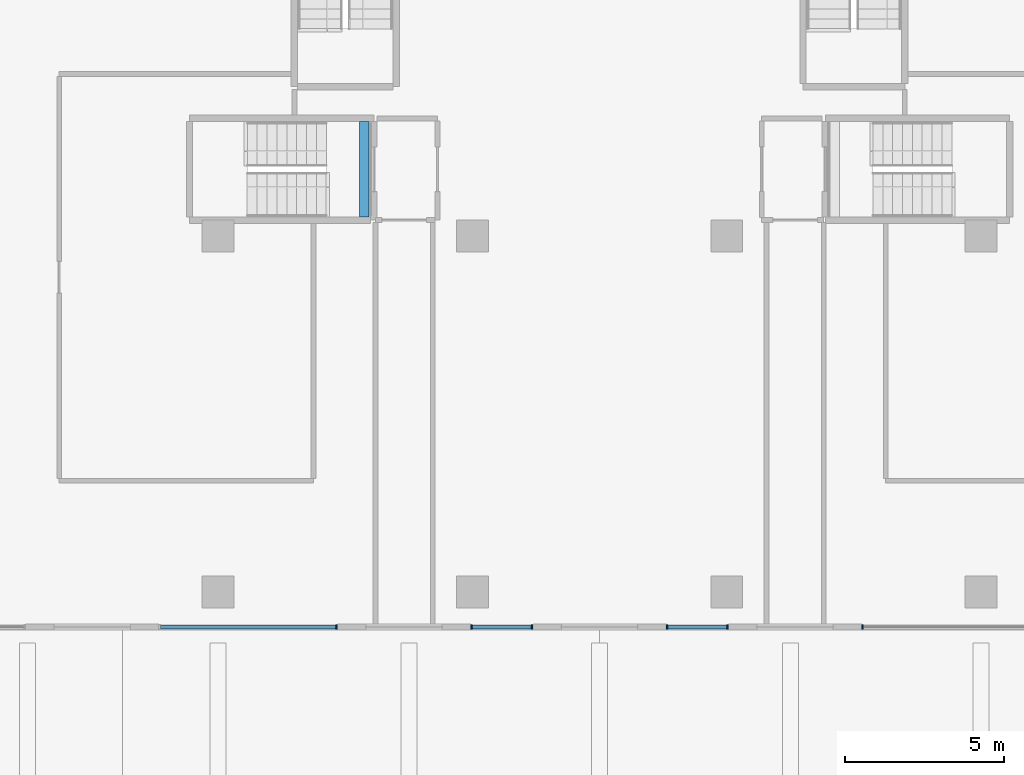
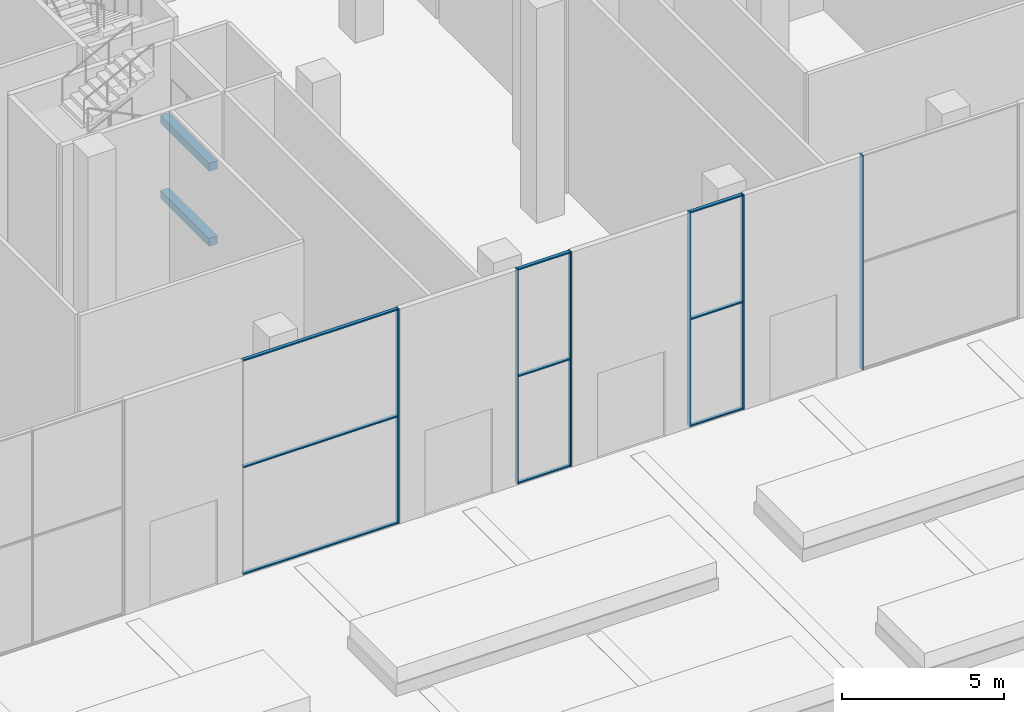
# One storey, part 3 of 41: 15 members, 2 beams, 4 elements without a shape of their own.
"""IFC4 building model written with IfcOpenShell, lengths in metres."""

from ifc_helpers import new_model, si_unit, direction, frame, origin, origin_2d, place, context, subcontext, project, spatial, rectangle, extrude, material, layer, layer_set, material_profile, profile_set, type_object, element, aggregate, save


model = new_model("IFC4")

# Units and contexts
model_context = context("Model", 3, precision=1e-05, world=origin(), true_north=direction((0.0, 1.0)))
body_context = subcontext(model_context, "Body", "Model", "MODEL_VIEW")
ifc_project = project(units=[si_unit("LENGTHUNIT", "METRE"), si_unit("AREAUNIT", "SQUARE_METRE"), si_unit("VOLUMEUNIT", "CUBIC_METRE"), si_unit("PLANEANGLEUNIT", "RADIAN"), si_unit("MASSUNIT", "GRAM", prefix="KILO")], contexts=[model_context])

# Site, building, storey
site_placement = place(None, origin())
site = spatial("IfcSite", under=ifc_project, at=site_placement, CompositionType="ELEMENT")
building_placement = place(site_placement, origin())
building = spatial("IfcBuilding", under=site, at=building_placement, Name="Triada Interchange Tower", CompositionType="ELEMENT")
storey_placement = place(building_placement, origin())
storey = spatial("IfcBuildingStorey", under=building, at=storey_placement, Name="L00", CompositionType="ELEMENT", Elevation=0.0)

# Beams
ifc_material_1 = material(Name="Concrete C35/45", Category="concrete")
ifc_material_profile_1 = material_profile(ifc_material_1, rectangle(XDim=0.300048828125, YDim=0.300048828125, at=origin_2d()), Name="RC 300x300")
ifc_profile_set_1 = profile_set([ifc_material_profile_1], Name="Concrete C35/45")
beam_type = type_object("IfcBeamType", Name="Landing support beam RC 300x300", PredefinedType="BEAM", material=ifc_profile_set_1)
for number, where, z_axis, x_axis, name in (
    (1, (-7.39990234375, -37.5, 2.4833984375), (0.0, 1.0, 0.0), (-1.0, 0.0, 0.0), "Landing support beam S00-4 1"),
    (2, (-7.39990234375, -37.5, 5.31689453125), (0.0, 1.0, 0.0), (-1.0, 0.0, 0.0), "Landing support beam S00-4 2"),
):
    element("IfcBeam", number, at=place(storey_placement, frame(where, z_axis=z_axis, x_axis=x_axis)), inside=storey, type_object=beam_type, Name=name, PredefinedType="BEAM", context=body_context, shape_type="SweptSolid", body=[
        extrude(rectangle(XDim=0.300048828125, YDim=0.300048828125, at=origin_2d()), origin(), (0.0, 0.0, 1.0), 3.0),
    ])

# Curtain wall, member
ifc_material_2 = material(Name="Aluminium framed glazing", Category="aluminium")
ifc_layer = layer(ifc_material_2, 0.199951171875)
ifc_layer_set = layer_set([ifc_layer], Name="Curtain wall Retail shopfront")
curtain_wall_type = type_object("IfcCurtainWallType", Name="Curtain wall Retail shopfront", PredefinedType="NOTDEFINED", material=ifc_layer_set)
curtain_wall_1_placement = place(storey_placement, origin())
curtain_wall_1 = element("IfcCurtainWall", 3, at=curtain_wall_1_placement, inside=storey, type_object=curtain_wall_type, Name="Retail shopfront CW004 L00", PredefinedType="NOTDEFINED")
ifc_material_3 = material(Name="Aluminium", Category="aluminium")
ifc_material_profile_2 = material_profile(ifc_material_3, rectangle(XDim=0.14990234375, YDim=0.050048828125, at=origin_2d()), Name="Aluminium mullion")
ifc_profile_set_2 = profile_set([ifc_material_profile_2], Name="Aluminium")
member_type_1 = type_object("IfcMemberType", Name="Mullion Retail shopfront 150x50", PredefinedType="MULLION", material=ifc_profile_set_2)
member_1_placement = place(storey_placement, frame((-8.27490234375, -50.39990234375, 0.0), z_axis=(0.0, 0.0, 1.0), x_axis=(0.0, 1.0, 0.0)))
member_1 = element("IfcMember", 4, at=member_1_placement, type_object=member_type_1, Name="CW004 mullion 2", PredefinedType="MULLION", context=body_context, shape_type="SweptSolid", body=[
    extrude(rectangle(XDim=0.14990234375, YDim=0.050048828125, at=origin_2d()), origin(), (0.0, 0.0, 1.0), 8.10009765625),
])

# Curtain wall, members
curtain_wall_2_placement = place(storey_placement, origin())
curtain_wall_2 = element("IfcCurtainWall", 5, at=curtain_wall_2_placement, inside=storey, type_object=curtain_wall_type, Name="Retail shopfront CW005 L00", PredefinedType="NOTDEFINED")
member_2_placement = place(storey_placement, frame((-4.02490234375, -50.39990234375, 0.0), z_axis=(0.0, 0.0, 1.0), x_axis=(0.0, 1.0, 0.0)))
member_2 = element("IfcMember", 6, at=member_2_placement, type_object=member_type_1, Name="CW005 mullion 1", PredefinedType="MULLION", context=body_context, shape_type="SweptSolid", body=[
    extrude(rectangle(XDim=0.14990234375, YDim=0.050048828125, at=origin_2d()), origin(), (0.0, 0.0, 1.0), 8.10009765625),
])
member_3_placement = place(storey_placement, frame((-2.125, -50.39990234375, 0.0), z_axis=(0.0, 0.0, 1.0), x_axis=(0.0, 1.0, 0.0)))
member_3 = element("IfcMember", 7, at=member_3_placement, type_object=member_type_1, Name="CW005 mullion 2", PredefinedType="MULLION", context=body_context, shape_type="SweptSolid", body=[
    extrude(rectangle(XDim=0.14990234375, YDim=0.050048828125, at=origin_2d()), origin(), (0.0, 0.0, 1.0), 8.10009765625),
])

curtain_wall_3_placement = place(storey_placement, origin())
curtain_wall_3 = element("IfcCurtainWall", 8, at=curtain_wall_3_placement, inside=storey, type_object=curtain_wall_type, Name="Retail shopfront CW006 L00", PredefinedType="NOTDEFINED")
member_4_placement = place(storey_placement, frame((2.125, -50.39990234375, 0.0), z_axis=(0.0, 0.0, 1.0), x_axis=(0.0, 1.0, 0.0)))
member_4 = element("IfcMember", 9, at=member_4_placement, type_object=member_type_1, Name="CW006 mullion 1", PredefinedType="MULLION", context=body_context, shape_type="SweptSolid", body=[
    extrude(rectangle(XDim=0.14990234375, YDim=0.050048828125, at=origin_2d()), origin(), (0.0, 0.0, 1.0), 8.10009765625),
])
member_5_placement = place(storey_placement, frame((4.02490234375, -50.39990234375, 0.0), z_axis=(0.0, 0.0, 1.0), x_axis=(0.0, 1.0, 0.0)))
member_5 = element("IfcMember", 10, at=member_5_placement, type_object=member_type_1, Name="CW006 mullion 2", PredefinedType="MULLION", context=body_context, shape_type="SweptSolid", body=[
    extrude(rectangle(XDim=0.14990234375, YDim=0.050048828125, at=origin_2d()), origin(), (0.0, 0.0, 1.0), 8.10009765625),
])

# Curtain wall, member
curtain_wall_4_placement = place(storey_placement, origin())
curtain_wall_4 = element("IfcCurtainWall", 11, at=curtain_wall_4_placement, inside=storey, type_object=curtain_wall_type, Name="Retail shopfront CW007 L00", PredefinedType="NOTDEFINED")
member_6_placement = place(storey_placement, frame((8.27490234375, -50.39990234375, 0.0), z_axis=(0.0, 0.0, 1.0), x_axis=(0.0, 1.0, 0.0)))
member_6 = element("IfcMember", 12, at=member_6_placement, type_object=member_type_1, Name="CW007 mullion 1", PredefinedType="MULLION", context=body_context, shape_type="SweptSolid", body=[
    extrude(rectangle(XDim=0.14990234375, YDim=0.050048828125, at=origin_2d()), origin(), (0.0, 0.0, 1.0), 8.10009765625),
])
aggregate(curtain_wall_4, [member_6])

# Member
ifc_material_profile_3 = material_profile(ifc_material_3, rectangle(XDim=0.1201171875, YDim=0.050048828125, at=origin_2d()), Name="Aluminium transom")
ifc_profile_set_3 = profile_set([ifc_material_profile_3], Name="Aluminium")
member_type_2 = type_object("IfcMemberType", Name="Transom Retail shopfront 120x50", PredefinedType="USERDEFINED", material=ifc_profile_set_3)
member_7_placement = place(storey_placement, frame((-13.81005859375, -50.39990234375, 0.02490234375), z_axis=(1.0, 0.0, 0.0), x_axis=(0.0, 1.0, 0.0)))
member_7 = element("IfcMember", 13, at=member_7_placement, type_object=member_type_2, Name="CW004 transom 1.1", ObjectType="TRANSOM", PredefinedType="USERDEFINED", context=body_context, shape_type="SweptSolid", body=[
    extrude(rectangle(XDim=0.1201171875, YDim=0.050048828125, at=origin_2d()), origin(), (0.0, 0.0, 1.0), 5.510009765625),
])

member_8_placement = place(storey_placement, frame((-13.81005859375, -50.39990234375, 4.050048828125), z_axis=(1.0, 0.0, 0.0), x_axis=(0.0, 1.0, 0.0)))
member_8 = element("IfcMember", 14, at=member_8_placement, type_object=member_type_2, Name="CW004 transom 1.2", ObjectType="TRANSOM", PredefinedType="USERDEFINED", context=body_context, shape_type="SweptSolid", body=[
    extrude(rectangle(XDim=0.1201171875, YDim=0.050048828125, at=origin_2d()), origin(), (0.0, 0.0, 1.0), 5.510009765625),
])

member_9_placement = place(storey_placement, frame((-13.81005859375, -50.39990234375, 8.074951171875), z_axis=(1.0, 0.0, 0.0), x_axis=(0.0, 1.0, 0.0)))
member_9 = element("IfcMember", 15, at=member_9_placement, type_object=member_type_2, Name="CW004 transom 1.3", ObjectType="TRANSOM", PredefinedType="USERDEFINED", context=body_context, shape_type="SweptSolid", body=[
    extrude(rectangle(XDim=0.1201171875, YDim=0.050048828125, at=origin_2d()), origin(), (0.0, 0.0, 1.0), 5.510009765625),
])

aggregate(curtain_wall_1, [member_1, member_7, member_8, member_9])

member_10_placement = place(storey_placement, frame((-4.0, -50.39990234375, 0.02490234375), z_axis=(1.0, 0.0, 0.0), x_axis=(0.0, 1.0, 0.0)))
member_10 = element("IfcMember", 16, at=member_10_placement, type_object=member_type_2, Name="CW005 transom 1.1", ObjectType="TRANSOM", PredefinedType="USERDEFINED", context=body_context, shape_type="SweptSolid", body=[
    extrude(rectangle(XDim=0.1201171875, YDim=0.050048828125, at=origin_2d()), origin(), (0.0, 0.0, 1.0), 1.85009765625),
])

member_11_placement = place(storey_placement, frame((-4.0, -50.39990234375, 4.050048828125), z_axis=(1.0, 0.0, 0.0), x_axis=(0.0, 1.0, 0.0)))
member_11 = element("IfcMember", 17, at=member_11_placement, type_object=member_type_2, Name="CW005 transom 1.2", ObjectType="TRANSOM", PredefinedType="USERDEFINED", context=body_context, shape_type="SweptSolid", body=[
    extrude(rectangle(XDim=0.1201171875, YDim=0.050048828125, at=origin_2d()), origin(), (0.0, 0.0, 1.0), 1.85009765625),
])

member_12_placement = place(storey_placement, frame((-4.0, -50.39990234375, 8.074951171875), z_axis=(1.0, 0.0, 0.0), x_axis=(0.0, 1.0, 0.0)))
member_12 = element("IfcMember", 18, at=member_12_placement, type_object=member_type_2, Name="CW005 transom 1.3", ObjectType="TRANSOM", PredefinedType="USERDEFINED", context=body_context, shape_type="SweptSolid", body=[
    extrude(rectangle(XDim=0.1201171875, YDim=0.050048828125, at=origin_2d()), origin(), (0.0, 0.0, 1.0), 1.85009765625),
])

aggregate(curtain_wall_2, [member_2, member_3, member_10, member_11, member_12])

member_13_placement = place(storey_placement, frame((2.14990234375, -50.39990234375, 0.02490234375), z_axis=(1.0, 0.0, 0.0), x_axis=(0.0, 1.0, 0.0)))
member_13 = element("IfcMember", 19, at=member_13_placement, type_object=member_type_2, Name="CW006 transom 1.1", ObjectType="TRANSOM", PredefinedType="USERDEFINED", context=body_context, shape_type="SweptSolid", body=[
    extrude(rectangle(XDim=0.1201171875, YDim=0.050048828125, at=origin_2d()), origin(), (0.0, 0.0, 1.0), 1.85009765625),
])

member_14_placement = place(storey_placement, frame((2.14990234375, -50.39990234375, 4.050048828125), z_axis=(1.0, 0.0, 0.0), x_axis=(0.0, 1.0, 0.0)))
member_14 = element("IfcMember", 20, at=member_14_placement, type_object=member_type_2, Name="CW006 transom 1.2", ObjectType="TRANSOM", PredefinedType="USERDEFINED", context=body_context, shape_type="SweptSolid", body=[
    extrude(rectangle(XDim=0.1201171875, YDim=0.050048828125, at=origin_2d()), origin(), (0.0, 0.0, 1.0), 1.85009765625),
])

member_15_placement = place(storey_placement, frame((2.14990234375, -50.39990234375, 8.074951171875), z_axis=(1.0, 0.0, 0.0), x_axis=(0.0, 1.0, 0.0)))
member_15 = element("IfcMember", 21, at=member_15_placement, type_object=member_type_2, Name="CW006 transom 1.3", ObjectType="TRANSOM", PredefinedType="USERDEFINED", context=body_context, shape_type="SweptSolid", body=[
    extrude(rectangle(XDim=0.1201171875, YDim=0.050048828125, at=origin_2d()), origin(), (0.0, 0.0, 1.0), 1.85009765625),
])

aggregate(curtain_wall_3, [member_4, member_5, member_13, member_14, member_15])

save(model, "model.ifc")
